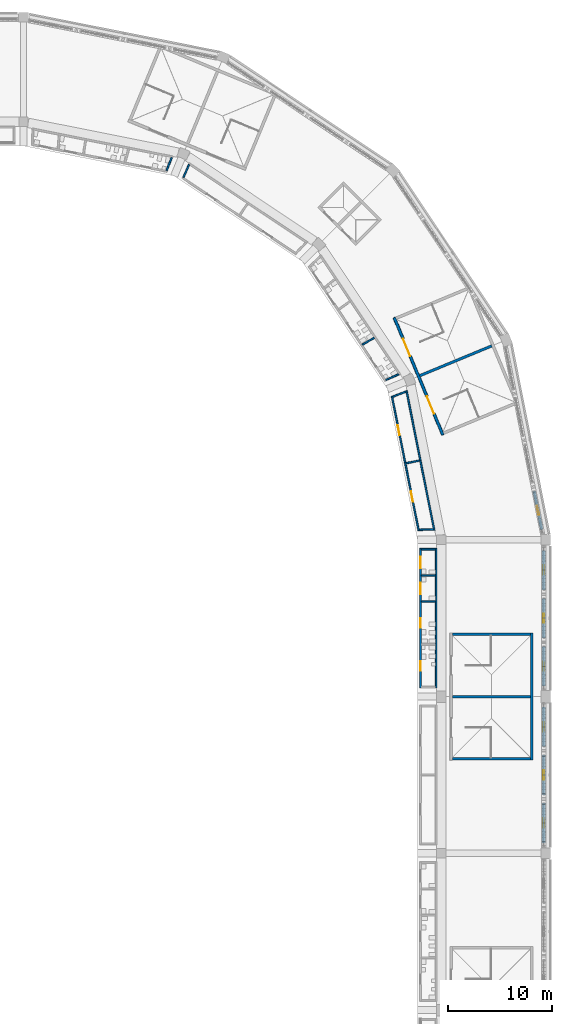
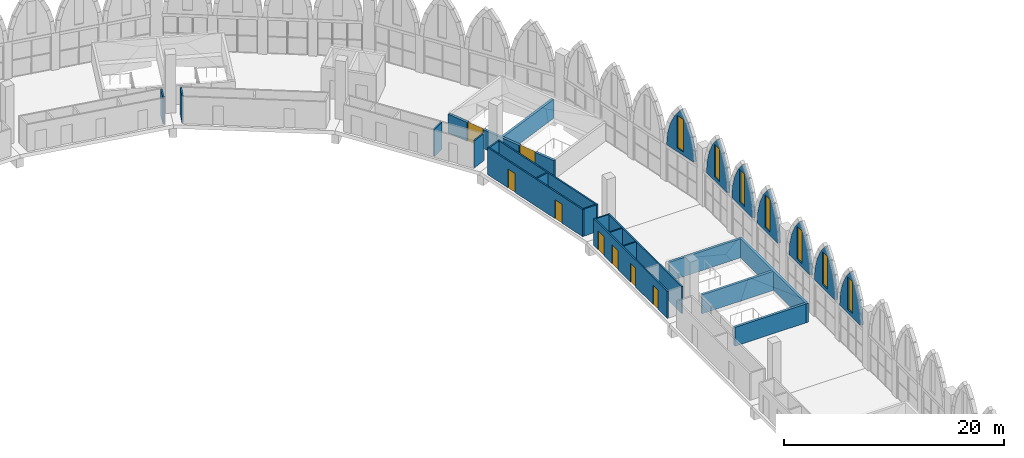
# One storey, part 85 of 130: 27 walls, 8 doors, 7 windows, 15 openings.
"""IFC4 building model written with IfcOpenShell, lengths in metres."""

from ifc_helpers import new_model, si_unit, direction, frame, frame_2d, origin, place, context, subcontext, project, spatial, polyline, rectangle, outline, extrude, material, layer, layer_set, type_object, element, fill, save


model = new_model("IFC4")

# Units and contexts
model_context = context("Model", 3, precision=1e-05, world=origin(), true_north=direction((0.0, 1.0)))
body_context = subcontext(model_context, "Body", "Model", "MODEL_VIEW")
ifc_project = project(units=[si_unit("LENGTHUNIT", "METRE"), si_unit("AREAUNIT", "SQUARE_METRE"), si_unit("VOLUMEUNIT", "CUBIC_METRE"), si_unit("PLANEANGLEUNIT", "RADIAN"), si_unit("MASSUNIT", "GRAM", prefix="KILO")], contexts=[model_context])

# Site, building, storey
site_placement = place(None, origin())
site = spatial("IfcSite", under=ifc_project, at=site_placement, CompositionType="ELEMENT")
building_placement = place(site_placement, origin())
building = spatial("IfcBuilding", under=site, at=building_placement, Name="Ogive Plaza Stadium", CompositionType="ELEMENT")
storey_placement = place(building_placement, frame((0.0, 0.0, 22.5)))
storey = spatial("IfcBuildingStorey", under=building, at=storey_placement, Name="L05", CompositionType="ELEMENT", Elevation=22.5)

# Wall
ifc_material_1 = material(Name="Masonry blockwork", Category="masonry")
ifc_layer_1 = layer(ifc_material_1, 0.14990234375)
ifc_layer_set_1 = layer_set([ifc_layer_1], Name="Blockwork wall 150")
wall_type_1 = type_object("IfcWallType", Name="Blockwork wall 150", PredefinedType="SOLIDWALL", material=ifc_layer_set_1)
wall_1_placement = place(storey_placement, frame((49.305908203125, 87.185302734375, 0.0), z_axis=(0.0, 0.0, 1.0), x_axis=(0.403693857048, 0.914894130368, 0.0)))
element("IfcWall", 1, at=wall_1_placement, inside=storey, type_object=wall_type_1, Name="Wall L05 B38", PredefinedType="SOLIDWALL", context=body_context, shape_type="SweptSolid", body=[
    extrude(rectangle(XDim=1.344482421875, YDim=0.14990234375, at=frame_2d((0.67236328125, 0.0))), origin(), (0.0, 0.0, 1.0), 3.0),
])

# Wall, openings, doors
wall_2_placement = place(storey_placement, frame((69.26513671875, 66.24853515625, 0.0), z_axis=(0.0, 0.0, 1.0), x_axis=(0.195095631841, -0.980784224198, 0.0)))
wall_2 = element("IfcWall", 2, at=wall_2_placement, inside=storey, type_object=wall_type_1, Name="Wall L05 B40", PredefinedType="SOLIDWALL", context=body_context, shape_type="SweptSolid", body=[
    extrude(rectangle(XDim=13.11328125, YDim=0.14990234375, at=frame_2d((6.556640625, 0.0))), origin(), (0.0, 0.0, 1.0), 3.0),
])
opening_1_placement = place(wall_2_placement, frame((2.81494140625, 0.0, 0.0)))
opening_1 = element("IfcOpeningElement", 3, at=opening_1_placement, cuts=wall_2, Name="Opening D1035", PredefinedType="OPENING", context=body_context, shape_type="SweptSolid", body=[
    extrude(rectangle(XDim=1.0, YDim=2.10009765625, at=frame_2d((0.5, 1.050048828125))), frame((0.0, 0.074951171875, 0.0), z_axis=(0.0, -1.0, 0.0), x_axis=(1.0, 0.0, 0.0)), (0.0, 0.0, 1.0), 0.14990234375),
])
opening_2_placement = place(wall_2_placement, frame((9.298095703125, 0.0, 0.0)))
opening_2 = element("IfcOpeningElement", 4, at=opening_2_placement, cuts=wall_2, Name="Opening D1036", PredefinedType="OPENING", context=body_context, shape_type="SweptSolid", body=[
    extrude(rectangle(XDim=1.0, YDim=2.10009765625, at=frame_2d((0.5, 1.050048828125))), frame((0.0, 0.074951171875, 0.0), z_axis=(0.0, -1.0, 0.0), x_axis=(1.0, 0.0, 0.0)), (0.0, 0.0, 1.0), 0.14990234375),
])
ifc_material_2 = material(Name="Steel ASTM A572 Grade 50", Category="steel")
door_type_1 = type_object("IfcDoorType", Name="Door 1000 x 2100", OperationType="SINGLE_SWING_LEFT", PredefinedType="DOOR", material=ifc_material_2)
door_1_placement = place(opening_1_placement, origin())
door_1 = element("IfcDoor", 5, at=door_1_placement, inside=storey, type_object=door_type_1, Name="Concession Stand B40 door", OperationType="SINGLE_SWING_LEFT", OverallHeight=2.10009765625, OverallWidth=1.0, PredefinedType="DOOR", context=body_context, shape_type="SweptSolid", body=[
    extrude(rectangle(XDim=1.0, YDim=2.10009765625, at=frame_2d((0.5, 1.050048828125))), frame((0.0, 0.02490234375, 0.0), z_axis=(0.0, -1.0, 0.0), x_axis=(1.0, 0.0, 0.0)), (0.0, 0.0, 1.0), 0.050048828125),
])
fill(opening_1, door_1)
door_2_placement = place(opening_2_placement, origin())
door_2 = element("IfcDoor", 6, at=door_2_placement, inside=storey, type_object=door_type_1, Name="Concession Stand B40 door", OperationType="SINGLE_SWING_RIGHT", OverallHeight=2.10009765625, OverallWidth=1.0, PredefinedType="DOOR", context=body_context, shape_type="SweptSolid", body=[
    extrude(rectangle(XDim=1.0, YDim=2.10009765625, at=frame_2d((0.5, 1.050048828125))), frame((0.0, 0.02490234375, 0.0), z_axis=(0.0, -1.0, 0.0), x_axis=(1.0, 0.0, 0.0)), (0.0, 0.0, 1.0), 0.050048828125),
])
fill(opening_2, door_2)

# Walls
wall_3_placement = place(storey_placement, frame((70.6572265625, 66.791259765625, 0.0), z_axis=(0.0, 0.0, 1.0), x_axis=(0.195103376128, -0.980782683689, 0.0)))
element("IfcWall", 7, at=wall_3_placement, inside=storey, type_object=wall_type_1, Name="Wall L05 B40", PredefinedType="SOLIDWALL", context=body_context, shape_type="SweptSolid", body=[
    extrude(rectangle(XDim=13.630859375, YDim=0.14990234375, at=frame_2d((6.8154296875, 0.0))), origin(), (0.0, 0.0, 1.0), 3.0),
])
wall_4_placement = place(storey_placement, frame((69.34912109375, 66.203369140625, 0.0), z_axis=(0.0, 0.0, 1.0), x_axis=(0.932406277831, 0.36141186071, 0.0)))
element("IfcWall", 8, at=wall_4_placement, inside=storey, type_object=wall_type_1, Name="Wall L05 B40", PredefinedType="SOLIDWALL", context=body_context, shape_type="SweptSolid", body=[
    extrude(rectangle(XDim=1.34423828125, YDim=0.14990234375, at=frame_2d((0.672119140625, 0.0))), origin(), (0.0, 0.0, 1.0), 3.0),
])
wall_5_placement = place(storey_placement, frame((70.616455078125, 59.832275390625, 0.0), z_axis=(0.0, 0.0, 1.0), x_axis=(0.980531003602, 0.196364332237, 0.0)))
element("IfcWall", 9, at=wall_5_placement, inside=storey, type_object=wall_type_1, Name="Wall L05 B40", PredefinedType="SOLIDWALL", context=body_context, shape_type="SweptSolid", body=[
    extrude(rectangle(XDim=1.32421875, YDim=0.14990234375, at=frame_2d((0.662109375, 0.0))), origin(), (0.0, 0.0, 1.0), 3.0),
])
wall_6_placement = place(storey_placement, frame((71.8837890625, 53.46142578125, 0.0), z_axis=(0.0, 0.0, 1.0), x_axis=(0.999681029438, 0.025255482205, 0.0)))
element("IfcWall", 10, at=wall_6_placement, inside=storey, type_object=wall_type_1, Name="Wall L05 B40", PredefinedType="SOLIDWALL", context=body_context, shape_type="SweptSolid", body=[
    extrude(rectangle(XDim=1.34375, YDim=0.14990234375, at=frame_2d((0.671875, 0.0))), origin(), (0.0, 0.0, 1.0), 3.0),
])
ifc_material_3 = material(Name="Concrete C40/50", Category="concrete")
ifc_layer_2 = layer(ifc_material_3, 0.25)
ifc_layer_set_2 = layer_set([ifc_layer_2], Name="Concrete C40/50")
wall_type_2 = type_object("IfcWallType", Name="Core wall 250", PredefinedType="SHEAR", material=ifc_layer_set_2)
wall_7_placement = place(storey_placement, frame((82.635009765625, 31.425048828125, 0.0), z_axis=(0.0, 0.0, 1.0), x_axis=(0.0, 1.0, 0.0)))
element("IfcWall", 11, at=wall_7_placement, inside=storey, type_object=wall_type_2, Name="Stair core R02 outer wall", PredefinedType="SHEAR", context=body_context, shape_type="SweptSolid", body=[
    extrude(rectangle(XDim=12.14990234375, YDim=0.25, at=frame_2d((6.074951171875, 0.0))), origin(), (0.0, 0.0, 1.0), 2.10009765625),
])
for number, where, z_axis, x_axis, name in (
    (12, (75.050048828125, 31.550048828125, 0.0), (0.0, 0.0, 1.0), (1.0, 0.0, 0.0), "Stair core R02 side wall"),
    (13, (75.050048828125, 43.449951171875, 0.0), (0.0, 0.0, 1.0), (1.0, 0.0, 0.0), "Stair core R02 side wall"),
    (14, (75.050048828125, 37.5, 0.0), (0.0, 0.0, 1.0), (1.0, 0.0, 0.0), "Stair core R02 centre wall"),
):
    element("IfcWall", number, at=place(storey_placement, frame(where, z_axis=z_axis, x_axis=x_axis)), inside=storey, type_object=wall_type_2, Name=name, PredefinedType="SHEAR", context=body_context, shape_type="SweptSolid", body=[
        extrude(rectangle(XDim=7.4599609375, YDim=0.25, at=frame_2d((3.72998046875, 0.0))), origin(), (0.0, 0.0, 1.0), 2.10009765625),
    ])

# Wall, openings, doors
wall_8_placement = place(storey_placement, frame((74.134521484375, 62.548828125, 0.0), z_axis=(0.0, 0.0, 1.0), x_axis=(-0.382688386133, 0.923877480578, 0.0)))
wall_8 = element("IfcWall", 15, at=wall_8_placement, inside=storey, type_object=wall_type_2, Name="Stair core R40 inner wall", PredefinedType="SHEAR", context=body_context, shape_type="SweptSolid", body=[
    extrude(rectangle(XDim=12.14990234375, YDim=0.25, at=frame_2d((6.074951171875, 0.0))), origin(), (0.0, 0.0, 1.0), 2.10009765625),
])
opening_3_placement = place(wall_8_placement, frame((2.199951171875, 0.0, 0.0)))
opening_3 = element("IfcOpeningElement", 16, at=opening_3_placement, cuts=wall_8, Name="Opening D0295", PredefinedType="OPENING", context=body_context, shape_type="SweptSolid", body=[
    extrude(rectangle(XDim=1.800048828125, YDim=2.10009765625, at=frame_2d((0.89990234375, 1.050048828125))), frame((0.0, 0.125, 0.0), z_axis=(0.0, -1.0, 0.0), x_axis=(1.0, 0.0, 0.0)), (0.0, 0.0, 1.0), 0.25),
])
opening_4_placement = place(wall_8_placement, frame((8.14990234375, 0.0, 0.0)))
opening_4 = element("IfcOpeningElement", 17, at=opening_4_placement, cuts=wall_8, Name="Opening D0296", PredefinedType="OPENING", context=body_context, shape_type="SweptSolid", body=[
    extrude(rectangle(XDim=1.800048828125, YDim=2.10009765625, at=frame_2d((0.89990234375, 1.050048828125))), frame((0.0, 0.125, 0.0), z_axis=(0.0, -1.0, 0.0), x_axis=(1.0, 0.0, 0.0)), (0.0, 0.0, 1.0), 0.25),
])
ifc_material_4 = material(Name="Steel ASTM A572 Grade 50", Category="steel")
door_type_2 = type_object("IfcDoorType", Name="Fire door FD90 pair 1800 x 2100", OperationType="DOUBLE_DOOR_SINGLE_SWING", PredefinedType="DOOR", material=ifc_material_4)
door_3_placement = place(opening_3_placement, origin())
door_3 = element("IfcDoor", 18, at=door_3_placement, inside=storey, type_object=door_type_2, Name="Exit stair R40A door L05", OperationType="DOUBLE_DOOR_SINGLE_SWING", OverallHeight=2.10009765625, OverallWidth=1.800048828125, PredefinedType="DOOR", context=body_context, shape_type="SweptSolid", body=[
    extrude(rectangle(XDim=1.800048828125, YDim=2.10009765625, at=frame_2d((0.89990234375, 1.050048828125))), frame((0.0, 0.02490234375, 0.0), z_axis=(0.0, -1.0, 0.0), x_axis=(1.0, 0.0, 0.0)), (0.0, 0.0, 1.0), 0.050048828125),
])
fill(opening_3, door_3)
door_4_placement = place(opening_4_placement, origin())
door_4 = element("IfcDoor", 19, at=door_4_placement, inside=storey, type_object=door_type_2, Name="Exit stair R40B door L05", OperationType="DOUBLE_DOOR_SINGLE_SWING", OverallHeight=2.10009765625, OverallWidth=1.800048828125, PredefinedType="DOOR", context=body_context, shape_type="SweptSolid", body=[
    extrude(rectangle(XDim=1.800048828125, YDim=2.10009765625, at=frame_2d((0.89990234375, 1.050048828125))), frame((0.0, 0.02490234375, 0.0), z_axis=(0.0, -1.0, 0.0), x_axis=(1.0, 0.0, 0.0)), (0.0, 0.0, 1.0), 0.050048828125),
])
fill(opening_4, door_4)

# Wall
wall_9_placement = place(storey_placement, frame((71.92529296875, 68.209228515625, 0.0), z_axis=(0.0, 0.0, 1.0), x_axis=(0.923882412044, 0.382676480483, 0.0)))
element("IfcWall", 20, at=wall_9_placement, inside=storey, type_object=wall_type_2, Name="Stair core R40 centre wall", PredefinedType="SHEAR", context=body_context, shape_type="SweptSolid", body=[
    extrude(rectangle(XDim=7.4599609375, YDim=0.25, at=frame_2d((3.72998046875, 0.0))), origin(), (0.0, 0.0, 1.0), 2.10009765625),
])

# Wall, openings, doors
ifc_material_5 = material(Name="Gypsum board partition", Category="gypsum")
ifc_layer_3 = layer(ifc_material_5, 0.14990234375)
ifc_layer_set_3 = layer_set([ifc_layer_3], Name="Partition 150")
wall_type_3 = type_object("IfcWallType", Name="Partition 150", PredefinedType="PARTITIONING", material=ifc_layer_set_3)
wall_10_placement = place(storey_placement, frame((72.0, 38.324951171875, 0.0), z_axis=(0.0, 0.0, 1.0), x_axis=(0.0, 1.0, 0.0)))
wall_10 = element("IfcWall", 21, at=wall_10_placement, inside=storey, type_object=wall_type_3, Name="Wall L05 B01", PredefinedType="PARTITIONING", context=body_context, shape_type="SweptSolid", body=[
    extrude(rectangle(XDim=13.35009765625, YDim=0.14990234375, at=frame_2d((6.675048828125, 0.0))), origin(), (0.0, 0.0, 1.0), 3.0),
])
opening_5_placement = place(wall_10_placement, frame((1.6708984375, 0.0, 0.0)))
opening_5 = element("IfcOpeningElement", 22, at=opening_5_placement, cuts=wall_10, Name="Opening D0917", PredefinedType="OPENING", context=body_context, shape_type="SweptSolid", body=[
    extrude(rectangle(XDim=0.89990234375, YDim=2.10009765625, at=frame_2d((0.449951171875, 1.050048828125))), frame((0.0, 0.074951171875, 0.0), z_axis=(0.0, -1.0, 0.0), x_axis=(1.0, 0.0, 0.0)), (0.0, 0.0, 1.0), 0.14990234375),
])
opening_6_placement = place(wall_10_placement, frame((5.762939453125, 0.0, 0.0)))
opening_6 = element("IfcOpeningElement", 23, at=opening_6_placement, cuts=wall_10, Name="Opening D0918", PredefinedType="OPENING", context=body_context, shape_type="SweptSolid", body=[
    extrude(rectangle(XDim=0.89990234375, YDim=2.10009765625, at=frame_2d((0.449951171875, 1.050048828125))), frame((0.0, 0.074951171875, 0.0), z_axis=(0.0, -1.0, 0.0), x_axis=(1.0, 0.0, 0.0)), (0.0, 0.0, 1.0), 0.14990234375),
])
opening_7_placement = place(wall_10_placement, frame((8.962890625, 0.0, 0.0)))
opening_7 = element("IfcOpeningElement", 24, at=opening_7_placement, cuts=wall_10, Name="Opening D0919", PredefinedType="OPENING", context=body_context, shape_type="SweptSolid", body=[
    extrude(rectangle(XDim=1.10009765625, YDim=2.10009765625, at=frame_2d((0.550048828125, 1.050048828125))), frame((0.0, 0.074951171875, 0.0), z_axis=(0.0, -1.0, 0.0), x_axis=(1.0, 0.0, 0.0)), (0.0, 0.0, 1.0), 0.14990234375),
])
opening_8_placement = place(wall_10_placement, frame((11.470947265625, 0.0, 0.0)))
opening_8 = element("IfcOpeningElement", 25, at=opening_8_placement, cuts=wall_10, Name="Opening D0920", PredefinedType="OPENING", context=body_context, shape_type="SweptSolid", body=[
    extrude(rectangle(XDim=1.10009765625, YDim=2.10009765625, at=frame_2d((0.550048828125, 1.050048828125))), frame((0.0, 0.074951171875, 0.0), z_axis=(0.0, -1.0, 0.0), x_axis=(1.0, 0.0, 0.0)), (0.0, 0.0, 1.0), 0.14990234375),
])
ifc_material_6 = material(Name="Steel ASTM A572 Grade 50", Category="steel")
door_type_3 = type_object("IfcDoorType", Name="Accessible door 1100 x 2100", OperationType="SINGLE_SWING_LEFT", PredefinedType="DOOR", material=ifc_material_6)
door_5_placement = place(opening_7_placement, origin())
door_5 = element("IfcDoor", 26, at=door_5_placement, inside=storey, type_object=door_type_3, Name="Accessible WC B01 door", OperationType="SINGLE_SWING_RIGHT", OverallHeight=2.10009765625, OverallWidth=1.10009765625, PredefinedType="DOOR", context=body_context, shape_type="SweptSolid", body=[
    extrude(rectangle(XDim=1.10009765625, YDim=2.10009765625, at=frame_2d((0.550048828125, 1.050048828125))), frame((0.0, 0.02490234375, 0.0), z_axis=(0.0, -1.0, 0.0), x_axis=(1.0, 0.0, 0.0)), (0.0, 0.0, 1.0), 0.050048828125),
])
fill(opening_7, door_5)
door_6_placement = place(opening_8_placement, origin())
door_6 = element("IfcDoor", 27, at=door_6_placement, inside=storey, type_object=door_type_3, Name="Family WC B01 door", OperationType="SINGLE_SWING_LEFT", OverallHeight=2.10009765625, OverallWidth=1.10009765625, PredefinedType="DOOR", context=body_context, shape_type="SweptSolid", body=[
    extrude(rectangle(XDim=1.10009765625, YDim=2.10009765625, at=frame_2d((0.550048828125, 1.050048828125))), frame((0.0, 0.02490234375, 0.0), z_axis=(0.0, -1.0, 0.0), x_axis=(1.0, 0.0, 0.0)), (0.0, 0.0, 1.0), 0.050048828125),
])
fill(opening_8, door_6)
ifc_material_7 = material(Name="Steel ASTM A572 Grade 50", Category="steel")
door_type_4 = type_object("IfcDoorType", Name="Door 900 x 2100", OperationType="SINGLE_SWING_LEFT", PredefinedType="DOOR", material=ifc_material_7)
door_7_placement = place(opening_5_placement, origin())
door_7 = element("IfcDoor", 28, at=door_7_placement, inside=storey, type_object=door_type_4, Name="Men's Toilet B01 door", OperationType="SINGLE_SWING_RIGHT", OverallHeight=2.10009765625, OverallWidth=0.89990234375, PredefinedType="DOOR", context=body_context, shape_type="SweptSolid", body=[
    extrude(rectangle(XDim=0.89990234375, YDim=2.10009765625, at=frame_2d((0.449951171875, 1.050048828125))), frame((0.0, 0.02490234375, 0.0), z_axis=(0.0, -1.0, 0.0), x_axis=(1.0, 0.0, 0.0)), (0.0, 0.0, 1.0), 0.050048828125),
])
fill(opening_5, door_7)
door_8_placement = place(opening_6_placement, origin())
door_8 = element("IfcDoor", 29, at=door_8_placement, inside=storey, type_object=door_type_4, Name="Women's Toilet B01 door", OperationType="SINGLE_SWING_LEFT", OverallHeight=2.10009765625, OverallWidth=0.89990234375, PredefinedType="DOOR", context=body_context, shape_type="SweptSolid", body=[
    extrude(rectangle(XDim=0.89990234375, YDim=2.10009765625, at=frame_2d((0.449951171875, 1.050048828125))), frame((0.0, 0.02490234375, 0.0), z_axis=(0.0, -1.0, 0.0), x_axis=(1.0, 0.0, 0.0)), (0.0, 0.0, 1.0), 0.050048828125),
])
fill(opening_6, door_8)

# Walls
wall_11_placement = place(storey_placement, frame((73.5, 38.324951171875, 0.0), z_axis=(0.0, 0.0, 1.0), x_axis=(0.0, 1.0, 0.0)))
element("IfcWall", 30, at=wall_11_placement, inside=storey, type_object=wall_type_3, Name="Wall L05 B01", PredefinedType="PARTITIONING", context=body_context, shape_type="SweptSolid", body=[
    extrude(rectangle(XDim=13.35009765625, YDim=0.14990234375, at=frame_2d((6.675048828125, 0.0))), origin(), (0.0, 0.0, 1.0), 3.0),
])
for number, where, z_axis, x_axis, name in (
    (31, (72.074951171875, 46.583984375, 0.0), (0.0, 0.0, 1.0), (1.0, 0.0, 0.0), "Wall L05 B01"),
    (32, (72.074951171875, 49.092041015625, 0.0), (0.0, 0.0, 1.0), (1.0, 0.0, 0.0), "Wall L05 B01"),
    (33, (72.074951171875, 51.60009765625, 0.0), (0.0, 0.0, 1.0), (1.0, 0.0, 0.0), "Wall L05 B01"),
):
    element("IfcWall", number, at=place(storey_placement, frame(where, z_axis=z_axis, x_axis=x_axis)), inside=storey, type_object=wall_type_3, Name=name, PredefinedType="PARTITIONING", context=body_context, shape_type="SweptSolid", body=[
        extrude(rectangle(XDim=1.35009765625, YDim=0.14990234375, at=frame_2d((0.675048828125, 0.0))), origin(), (0.0, 0.0, 1.0), 3.0),
    ])
wall_12_placement = place(storey_placement, frame((47.703369140625, 87.84912109375, 0.0), z_axis=(0.0, 0.0, 1.0), x_axis=(0.36141186071, 0.932406277831, 0.0)))
element("IfcWall", 34, at=wall_12_placement, inside=storey, type_object=wall_type_3, Name="Wall L05 B37", PredefinedType="PARTITIONING", context=body_context, shape_type="SweptSolid", body=[
    extrude(rectangle(XDim=1.34423828125, YDim=0.14990234375, at=frame_2d((0.672119140625, 0.0))), origin(), (0.0, 0.0, 1.0), 3.0),
])
wall_13_placement = place(storey_placement, frame((68.685302734375, 67.805908203125, 0.0), z_axis=(0.0, 0.0, 1.0), x_axis=(0.914894130368, 0.403693857048, 0.0)))
element("IfcWall", 35, at=wall_13_placement, inside=storey, type_object=wall_type_3, Name="Wall L05 B39", PredefinedType="PARTITIONING", context=body_context, shape_type="SweptSolid", body=[
    extrude(rectangle(XDim=1.344482421875, YDim=0.14990234375, at=frame_2d((0.67236328125, 0.0))), origin(), (0.0, 0.0, 1.0), 3.0),
])
wall_14_placement = place(storey_placement, frame((66.431396484375, 71.179443359375, 0.0), z_axis=(0.0, 0.0, 1.0), x_axis=(0.866607990837, 0.498989569246, 0.0)))
element("IfcWall", 36, at=wall_14_placement, inside=storey, type_object=wall_type_3, Name="Wall L05 B39", PredefinedType="PARTITIONING", context=body_context, shape_type="SweptSolid", body=[
    extrude(rectangle(XDim=1.326904296875, YDim=0.14990234375, at=frame_2d((0.66357421875, 0.0))), origin(), (0.0, 0.0, 1.0), 3.0),
])

# Wall, opening, window
ifc_material_8 = material(Name="Concrete C45/55 precast", Category="concrete")
ifc_layer_4 = layer(ifc_material_8, 0.25)
ifc_material_9 = material(Name="Cast stone (reconstituted limestone)", Category="masonry")
ifc_layer_5 = layer(ifc_material_9, 0.050048828125)
ifc_layer_set_4 = layer_set([ifc_layer_4, ifc_layer_5], Name="Concrete C45/55 precast, cast stone facing")
wall_type_4 = type_object("IfcWallType", Name="Tympanum wall 300", PredefinedType="SOLIDWALL", material=ifc_layer_set_4)
wall_15_placement = place(storey_placement, frame((83.800048828125, 51.5, 4.10009765625), z_axis=(0.0, 0.0, 1.0), x_axis=(0.0, -1.0, 0.0)))
wall_15 = element("IfcWall", 37, at=wall_15_placement, inside=storey, type_object=wall_type_4, Name="TYMPANUM B01 1", PredefinedType="SOLIDWALL", context=body_context, shape_type="SweptSolid", body=[
    extrude(outline(polyline([(0.0, 0.0), (3.800048828125, 0.0), (3.800048828125, 0.0498046875), (3.67578125, 1.313720703125), (3.3076171875, 2.5810546875), (2.708740234375, 3.757080078125), (1.89990234375, 4.7998046875), (1.09130859375, 3.757080078125), (0.4921875, 2.5810546875), (0.124267578125, 1.313720703125), (0.0, 0.0498046875), (0.0, 0.0)])), frame((0.0, 0.14990234375, 0.0), z_axis=(0.0, -1.0, 0.0), x_axis=(1.0, 0.0, 0.0)), (0.0, 0.0, 1.0), 0.300048828125),
])
opening_9_placement = place(wall_15_placement, frame((1.449951171875, 0.0, 0.39990234375)))
opening_9 = element("IfcOpeningElement", 38, at=opening_9_placement, cuts=wall_15, Name="Opening W-01-1", PredefinedType="OPENING", context=body_context, shape_type="SweptSolid", body=[
    extrude(rectangle(XDim=0.89990234375, YDim=3.60009765625, at=frame_2d((0.449951171875, 1.800048828125))), frame((0.0, 0.16015625, 0.0), z_axis=(0.0, -1.0, 0.0), x_axis=(1.0, 0.0, 0.0)), (0.0, 0.0, 1.0), 0.320068359375),
])
ifc_material_10 = material(Name="Bronze-anodised aluminium and laminated glass", Category="aluminium")
window_type = type_object("IfcWindowType", Name="Lancet window 900 x 3600", PartitioningType="SINGLE_PANEL", PredefinedType="WINDOW", material=ifc_material_10)
window_1_placement = place(opening_9_placement, origin())
window_1 = element("IfcWindow", 39, at=window_1_placement, inside=storey, type_object=window_type, Name="LANCET WINDOW B01 1", OverallHeight=3.60009765625, OverallWidth=0.89990234375, PartitioningType="SINGLE_PANEL", PredefinedType="WINDOW", context=body_context, shape_type="SweptSolid", body=[
    extrude(rectangle(XDim=0.89990234375, YDim=3.60009765625, at=frame_2d((0.449951171875, 1.800048828125))), frame((0.0, 0.030029296875, 0.0), z_axis=(0.0, -1.0, 0.0), x_axis=(1.0, 0.0, 0.0)), (0.0, 0.0, 1.0), 0.06005859375),
])
fill(opening_9, window_1)

wall_16_placement = place(storey_placement, frame((83.800048828125, 46.89990234375, 4.10009765625), z_axis=(0.0, 0.0, 1.0), x_axis=(0.0, -1.0, 0.0)))
wall_16 = element("IfcWall", 40, at=wall_16_placement, inside=storey, type_object=wall_type_4, Name="TYMPANUM B01 2", PredefinedType="SOLIDWALL", context=body_context, shape_type="SweptSolid", body=[
    extrude(outline(polyline([(0.0, 0.0), (3.7998046875, 0.0), (3.800048828125, 0.0498046875), (3.67578125, 1.313720703125), (3.3076171875, 2.5810546875), (2.708740234375, 3.757080078125), (1.89990234375, 4.7998046875), (1.09130859375, 3.757080078125), (0.4921875, 2.5810546875), (0.124267578125, 1.313720703125), (0.0, 0.0498046875), (0.0, 0.0)])), frame((0.0, 0.14990234375, 0.0), z_axis=(0.0, -1.0, 0.0), x_axis=(1.0, 0.0, 0.0)), (0.0, 0.0, 1.0), 0.300048828125),
])
opening_10_placement = place(wall_16_placement, frame((1.449951171875, 0.0, 0.39990234375)))
opening_10 = element("IfcOpeningElement", 41, at=opening_10_placement, cuts=wall_16, Name="Opening W-01-2", PredefinedType="OPENING", context=body_context, shape_type="SweptSolid", body=[
    extrude(rectangle(XDim=0.89990234375, YDim=3.60009765625, at=frame_2d((0.449951171875, 1.800048828125))), frame((0.0, 0.16015625, 0.0), z_axis=(0.0, -1.0, 0.0), x_axis=(1.0, 0.0, 0.0)), (0.0, 0.0, 1.0), 0.320068359375),
])
window_2_placement = place(opening_10_placement, origin())
window_2 = element("IfcWindow", 42, at=window_2_placement, inside=storey, type_object=window_type, Name="LANCET WINDOW B01 2", OverallHeight=3.60009765625, OverallWidth=0.89990234375, PartitioningType="SINGLE_PANEL", PredefinedType="WINDOW", context=body_context, shape_type="SweptSolid", body=[
    extrude(rectangle(XDim=0.89990234375, YDim=3.60009765625, at=frame_2d((0.449951171875, 1.800048828125))), frame((0.0, 0.030029296875, 0.0), z_axis=(0.0, -1.0, 0.0), x_axis=(1.0, 0.0, 0.0)), (0.0, 0.0, 1.0), 0.06005859375),
])
fill(opening_10, window_2)

wall_17_placement = place(storey_placement, frame((83.800048828125, 42.300048828125, 4.10009765625), z_axis=(0.0, 0.0, 1.0), x_axis=(0.0, -1.0, 0.0)))
wall_17 = element("IfcWall", 43, at=wall_17_placement, inside=storey, type_object=wall_type_4, Name="TYMPANUM B01 3", PredefinedType="SOLIDWALL", context=body_context, shape_type="SweptSolid", body=[
    extrude(outline(polyline([(0.0, 0.0), (3.800048828125, 0.0), (3.800048828125, 0.0498046875), (3.67578125, 1.313720703125), (3.3076171875, 2.5810546875), (2.708740234375, 3.757080078125), (1.89990234375, 4.7998046875), (1.09130859375, 3.757080078125), (0.4921875, 2.5810546875), (0.124267578125, 1.313720703125), (0.0, 0.0498046875), (0.0, 0.0)])), frame((0.0, 0.14990234375, 0.0), z_axis=(0.0, -1.0, 0.0), x_axis=(1.0, 0.0, 0.0)), (0.0, 0.0, 1.0), 0.300048828125),
])
opening_11_placement = place(wall_17_placement, frame((1.449951171875, 0.0, 0.39990234375)))
opening_11 = element("IfcOpeningElement", 44, at=opening_11_placement, cuts=wall_17, Name="Opening W-01-3", PredefinedType="OPENING", context=body_context, shape_type="SweptSolid", body=[
    extrude(rectangle(XDim=0.89990234375, YDim=3.60009765625, at=frame_2d((0.449951171875, 1.800048828125))), frame((0.0, 0.16015625, 0.0), z_axis=(0.0, -1.0, 0.0), x_axis=(1.0, 0.0, 0.0)), (0.0, 0.0, 1.0), 0.320068359375),
])
window_3_placement = place(opening_11_placement, origin())
window_3 = element("IfcWindow", 45, at=window_3_placement, inside=storey, type_object=window_type, Name="LANCET WINDOW B01 3", OverallHeight=3.60009765625, OverallWidth=0.89990234375, PartitioningType="SINGLE_PANEL", PredefinedType="WINDOW", context=body_context, shape_type="SweptSolid", body=[
    extrude(rectangle(XDim=0.89990234375, YDim=3.60009765625, at=frame_2d((0.449951171875, 1.800048828125))), frame((0.0, 0.030029296875, 0.0), z_axis=(0.0, -1.0, 0.0), x_axis=(1.0, 0.0, 0.0)), (0.0, 0.0, 1.0), 0.06005859375),
])
fill(opening_11, window_3)

wall_18_placement = place(storey_placement, frame((83.800048828125, 36.5, 4.10009765625), z_axis=(0.0, 0.0, 1.0), x_axis=(0.0, -1.0, 0.0)))
wall_18 = element("IfcWall", 46, at=wall_18_placement, inside=storey, type_object=wall_type_4, Name="TYMPANUM B02 1", PredefinedType="SOLIDWALL", context=body_context, shape_type="SweptSolid", body=[
    extrude(outline(polyline([(0.0, 0.0), (3.800048828125, 0.0), (3.800048828125, 0.0498046875), (3.67578125, 1.313720703125), (3.3076171875, 2.5810546875), (2.708740234375, 3.757080078125), (1.89990234375, 4.7998046875), (1.09130859375, 3.757080078125), (0.4921875, 2.5810546875), (0.124267578125, 1.313720703125), (0.0, 0.0498046875), (0.0, 0.0)])), frame((0.0, 0.14990234375, 0.0), z_axis=(0.0, -1.0, 0.0), x_axis=(1.0, 0.0, 0.0)), (0.0, 0.0, 1.0), 0.300048828125),
])
opening_12_placement = place(wall_18_placement, frame((1.449951171875, 0.0, 0.39990234375)))
opening_12 = element("IfcOpeningElement", 47, at=opening_12_placement, cuts=wall_18, Name="Opening W-02-1", PredefinedType="OPENING", context=body_context, shape_type="SweptSolid", body=[
    extrude(rectangle(XDim=0.89990234375, YDim=3.60009765625, at=frame_2d((0.449951171875, 1.800048828125))), frame((0.0, 0.16015625, 0.0), z_axis=(0.0, -1.0, 0.0), x_axis=(1.0, 0.0, 0.0)), (0.0, 0.0, 1.0), 0.320068359375),
])
window_4_placement = place(opening_12_placement, origin())
window_4 = element("IfcWindow", 48, at=window_4_placement, inside=storey, type_object=window_type, Name="LANCET WINDOW B02 1", OverallHeight=3.60009765625, OverallWidth=0.89990234375, PartitioningType="SINGLE_PANEL", PredefinedType="WINDOW", context=body_context, shape_type="SweptSolid", body=[
    extrude(rectangle(XDim=0.89990234375, YDim=3.60009765625, at=frame_2d((0.449951171875, 1.800048828125))), frame((0.0, 0.030029296875, 0.0), z_axis=(0.0, -1.0, 0.0), x_axis=(1.0, 0.0, 0.0)), (0.0, 0.0, 1.0), 0.06005859375),
])
fill(opening_12, window_4)

wall_19_placement = place(storey_placement, frame((83.800048828125, 31.89990234375, 4.10009765625), z_axis=(0.0, 0.0, 1.0), x_axis=(0.0, -1.0, 0.0)))
wall_19 = element("IfcWall", 49, at=wall_19_placement, inside=storey, type_object=wall_type_4, Name="TYMPANUM B02 2", PredefinedType="SOLIDWALL", context=body_context, shape_type="SweptSolid", body=[
    extrude(outline(polyline([(0.0, 0.0), (3.7998046875, 0.0), (3.800048828125, 0.0498046875), (3.67578125, 1.313720703125), (3.3076171875, 2.5810546875), (2.708740234375, 3.757080078125), (1.89990234375, 4.7998046875), (1.09130859375, 3.757080078125), (0.4921875, 2.5810546875), (0.124267578125, 1.313720703125), (0.0, 0.0498046875), (0.0, 0.0)])), frame((0.0, 0.14990234375, 0.0), z_axis=(0.0, -1.0, 0.0), x_axis=(1.0, 0.0, 0.0)), (0.0, 0.0, 1.0), 0.300048828125),
])
opening_13_placement = place(wall_19_placement, frame((1.449951171875, 0.0, 0.39990234375)))
opening_13 = element("IfcOpeningElement", 50, at=opening_13_placement, cuts=wall_19, Name="Opening W-02-2", PredefinedType="OPENING", context=body_context, shape_type="SweptSolid", body=[
    extrude(rectangle(XDim=0.89990234375, YDim=3.60009765625, at=frame_2d((0.449951171875, 1.800048828125))), frame((0.0, 0.16015625, 0.0), z_axis=(0.0, -1.0, 0.0), x_axis=(1.0, 0.0, 0.0)), (0.0, 0.0, 1.0), 0.320068359375),
])
window_5_placement = place(opening_13_placement, origin())
window_5 = element("IfcWindow", 51, at=window_5_placement, inside=storey, type_object=window_type, Name="LANCET WINDOW B02 2", OverallHeight=3.60009765625, OverallWidth=0.89990234375, PartitioningType="SINGLE_PANEL", PredefinedType="WINDOW", context=body_context, shape_type="SweptSolid", body=[
    extrude(rectangle(XDim=0.89990234375, YDim=3.60009765625, at=frame_2d((0.449951171875, 1.800048828125))), frame((0.0, 0.030029296875, 0.0), z_axis=(0.0, -1.0, 0.0), x_axis=(1.0, 0.0, 0.0)), (0.0, 0.0, 1.0), 0.06005859375),
])
fill(opening_13, window_5)

wall_20_placement = place(storey_placement, frame((83.800048828125, 27.300048828125, 4.10009765625), z_axis=(0.0, 0.0, 1.0), x_axis=(0.0, -1.0, 0.0)))
wall_20 = element("IfcWall", 52, at=wall_20_placement, inside=storey, type_object=wall_type_4, Name="TYMPANUM B02 3", PredefinedType="SOLIDWALL", context=body_context, shape_type="SweptSolid", body=[
    extrude(outline(polyline([(0.0, 0.0), (3.800048828125, 0.0), (3.800048828125, 0.0498046875), (3.67578125, 1.313720703125), (3.3076171875, 2.5810546875), (2.708740234375, 3.757080078125), (1.89990234375, 4.7998046875), (1.09130859375, 3.757080078125), (0.4921875, 2.5810546875), (0.124267578125, 1.313720703125), (0.0, 0.0498046875), (0.0, 0.0)])), frame((0.0, 0.14990234375, 0.0), z_axis=(0.0, -1.0, 0.0), x_axis=(1.0, 0.0, 0.0)), (0.0, 0.0, 1.0), 0.300048828125),
])
opening_14_placement = place(wall_20_placement, frame((1.449951171875, 0.0, 0.39990234375)))
opening_14 = element("IfcOpeningElement", 53, at=opening_14_placement, cuts=wall_20, Name="Opening W-02-3", PredefinedType="OPENING", context=body_context, shape_type="SweptSolid", body=[
    extrude(rectangle(XDim=0.89990234375, YDim=3.60009765625, at=frame_2d((0.449951171875, 1.800048828125))), frame((0.0, 0.16015625, 0.0), z_axis=(0.0, -1.0, 0.0), x_axis=(1.0, 0.0, 0.0)), (0.0, 0.0, 1.0), 0.320068359375),
])
window_6_placement = place(opening_14_placement, origin())
window_6 = element("IfcWindow", 54, at=window_6_placement, inside=storey, type_object=window_type, Name="LANCET WINDOW B02 3", OverallHeight=3.60009765625, OverallWidth=0.89990234375, PartitioningType="SINGLE_PANEL", PredefinedType="WINDOW", context=body_context, shape_type="SweptSolid", body=[
    extrude(rectangle(XDim=0.89990234375, YDim=3.60009765625, at=frame_2d((0.449951171875, 1.800048828125))), frame((0.0, 0.030029296875, 0.0), z_axis=(0.0, -1.0, 0.0), x_axis=(1.0, 0.0, 0.0)), (0.0, 0.0, 1.0), 0.06005859375),
])
fill(opening_14, window_6)

wall_21_placement = place(storey_placement, frame((82.867919921875, 57.166259765625, 4.10009765625), z_axis=(0.0, 0.0, 1.0), x_axis=(0.195078797665, -0.980787572669, 0.0)))
wall_21 = element("IfcWall", 55, at=wall_21_placement, inside=storey, type_object=wall_type_4, Name="TYMPANUM B40 4", PredefinedType="SOLIDWALL", context=body_context, shape_type="SweptSolid", body=[
    extrude(outline(polyline([(0.0, 0.0), (3.757080078125, 0.0), (3.757080078125, 0.0498046875), (3.634521484375, 1.311279296875), (3.270751953125, 2.5771484375), (2.678466796875, 3.753662109375), (1.878662109375, 4.7998046875), (1.07861328125, 3.753662109375), (0.486328125, 2.5771484375), (0.12255859375, 1.311279296875), (0.0, 0.0498046875), (0.0, 0.0)])), frame((0.0, 0.14990234375, 0.0), z_axis=(0.0, -1.0, 0.0), x_axis=(1.0, 0.0, 0.0)), (0.0, 0.0, 1.0), 0.300048828125),
])
opening_15_placement = place(wall_21_placement, frame((1.428466796875, 0.0, 0.39990234375)))
opening_15 = element("IfcOpeningElement", 56, at=opening_15_placement, cuts=wall_21, Name="Opening W-40-4", PredefinedType="OPENING", context=body_context, shape_type="SweptSolid", body=[
    extrude(rectangle(XDim=0.89990234375, YDim=3.60009765625, at=frame_2d((0.449951171875, 1.800048828125))), frame((0.0, 0.16015625, 0.0), z_axis=(0.0, -1.0, 0.0), x_axis=(1.0, 0.0, 0.0)), (0.0, 0.0, 1.0), 0.320068359375),
])
window_7_placement = place(opening_15_placement, origin())
window_7 = element("IfcWindow", 57, at=window_7_placement, inside=storey, type_object=window_type, Name="LANCET WINDOW B40 4", OverallHeight=3.60009765625, OverallWidth=0.89990234375, PartitioningType="SINGLE_PANEL", PredefinedType="WINDOW", context=body_context, shape_type="SweptSolid", body=[
    extrude(rectangle(XDim=0.89990234375, YDim=3.60009765625, at=frame_2d((0.449951171875, 1.800048828125))), frame((0.0, 0.030029296875, 0.0), z_axis=(0.0, -1.0, 0.0), x_axis=(1.0, 0.0, 0.0)), (0.0, 0.0, 1.0), 0.06005859375),
])
fill(opening_15, window_7)

save(model, "model.ifc")
